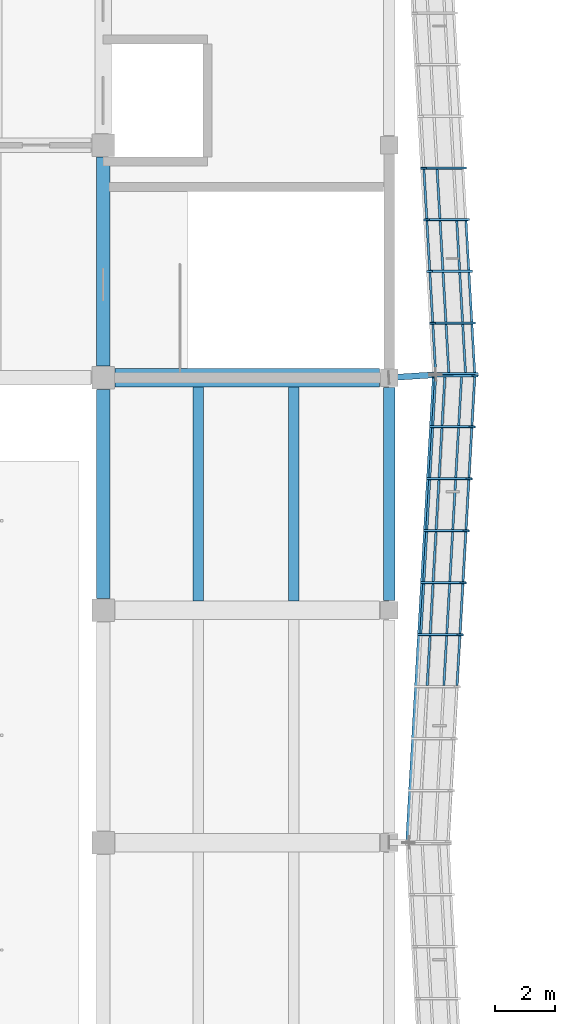
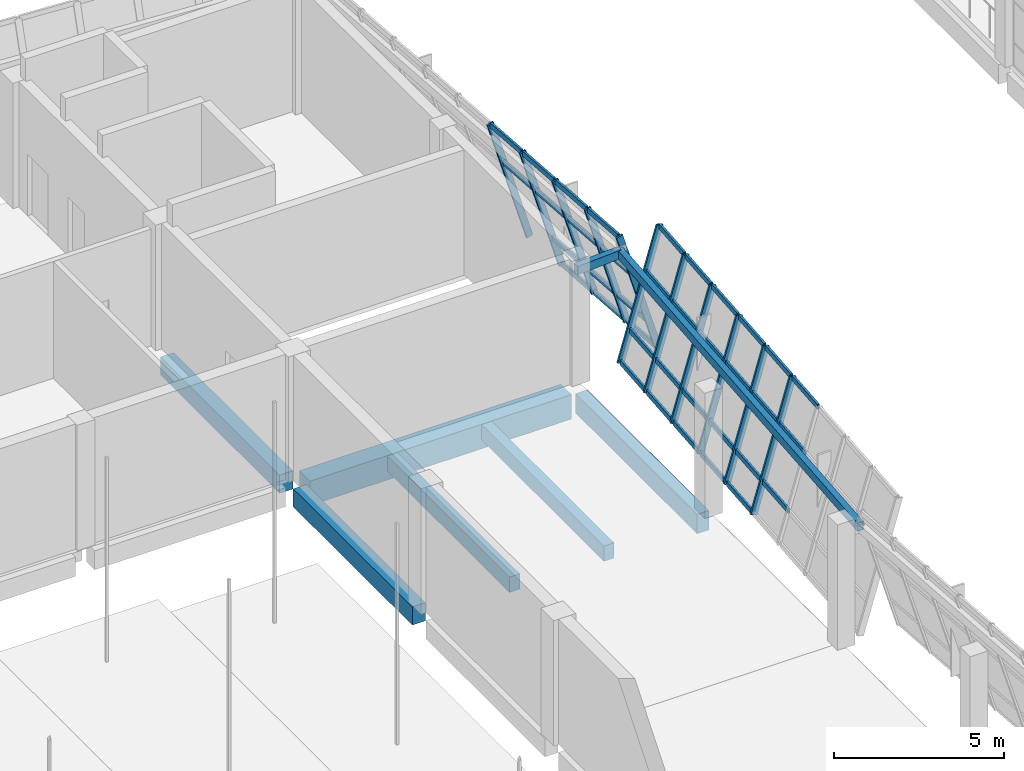
# One storey, part 21 of 71: 48 members, 8 beams, 2 elements without a shape of their own.
"""IFC4 building model written with IfcOpenShell, lengths in metres."""

import ifcopenshell
import ifcopenshell.guid

model = None  # the IFC model being written
_history = None  # IfcOwnerHistory: only IFC2X3 demands one
_inside = {}  # id of a spatial element -> (the spatial element, [elements in it])
_under = {}  # id of a project, library or spatial element -> (it, [spatial elements below it])
_declared = {}  # id of a project -> (the project, [libraries it declares])
_typed = {}  # id of a type object -> (the type object, [elements of that type])
_made_of = {}  # id of a material, layer set ... -> (it, [elements and type objects made of it])


def new_model(schema):
    """Start an empty IFC model of exactly this schema.

    Asked for "IFC4X3", IfcOpenShell would pick the latest addendum, in which some entities
    have other attributes; the version numbers below select the first issue.
    IFC2X3 requires an IfcOwnerHistory on every rooted entity: one is made here for all.
    """
    global model, _history
    if schema == "IFC4X3":
        model = ifcopenshell.file(schema_version=(4, 3, 0, 0))
    else:
        model = ifcopenshell.file(schema=schema)
    _inside.clear()
    _under.clear()
    _declared.clear()
    _typed.clear()
    _made_of.clear()
    _history = None
    if model.schema == "IFC2X3":
        org = make("IfcOrganization", Name="unknown")
        user = make(
            "IfcPersonAndOrganization",
            ThePerson=make("IfcPerson", FamilyName="unknown"),
            TheOrganization=org,
        )
        app = make(
            "IfcApplication",
            ApplicationDeveloper=org,
            Version="unknown",
            ApplicationFullName="unknown",
            ApplicationIdentifier="unknown",
        )
        _history = make(
            "IfcOwnerHistory",
            OwningUser=user,
            OwningApplication=app,
            ChangeAction="ADDED",
            CreationDate=0,
        )
    return model


def make(cls, **values):
    """One entity of the class cls with the attributes given. An attribute that is None is left unset."""
    return model.create_entity(
        cls, **{name: value for name, value in values.items() if value is not None}
    )


def rooted(cls, **values):
    """An entity with a GlobalId (a new one), such as an element, a storey or a relation."""
    return make(cls, GlobalId=ifcopenshell.guid.new(), OwnerHistory=_history, **values)


def si_unit(unit_type, name, prefix=None):
    """IfcSIUnit, for example si_unit("LENGTHUNIT", "METRE", prefix="MILLI")."""
    return make("IfcSIUnit", UnitType=unit_type, Prefix=prefix, Name=name)


def assignment(units):
    """IfcUnitAssignment: the units of a project."""
    return None if units is None else make("IfcUnitAssignment", Units=units)


def point(xyz):
    """IfcCartesianPoint."""
    return None if xyz is None else make("IfcCartesianPoint", Coordinates=xyz)


def direction(xyz):
    """IfcDirection."""
    return None if xyz is None else make("IfcDirection", DirectionRatios=xyz)


def frame(location, z_axis=None, x_axis=None):
    """IfcAxis2Placement3D, a coordinate frame: its origin and axes. An axis left out is left unset."""
    return make(
        "IfcAxis2Placement3D",
        Location=point(location),
        Axis=direction(z_axis),
        RefDirection=direction(x_axis),
    )


def frame_2d(location, x_axis=None):
    """IfcAxis2Placement2D, a coordinate frame in the plane: its origin and x axis."""
    return make(
        "IfcAxis2Placement2D", Location=point(location), RefDirection=direction(x_axis)
    )


def origin():
    """The frame at (0, 0, 0) with its axes left unset."""
    return frame((0.0, 0.0, 0.0))


def origin_2d():
    """The frame at (0, 0) in the plane with its x axis left unset."""
    return frame_2d((0.0, 0.0))


def place(relative_to, where):
    """IfcLocalPlacement: puts the frame where relative to a parent placement (None: the world)."""
    return make(
        "IfcLocalPlacement", PlacementRelTo=relative_to, RelativePlacement=where
    )


def context(
    kind, dimensions, precision=None, world=None, true_north=None, identifier=None
):
    """IfcGeometricRepresentationContext, for example the 3D "Model" context."""
    return make(
        "IfcGeometricRepresentationContext",
        ContextIdentifier=identifier,
        ContextType=kind,
        CoordinateSpaceDimension=dimensions,
        Precision=precision,
        WorldCoordinateSystem=world,
        TrueNorth=true_north,
    )


def subcontext(parent, identifier, kind, view, scale=None):
    """IfcGeometricRepresentationSubContext, for example "Body" below "Model"."""
    return make(
        "IfcGeometricRepresentationSubContext",
        ContextIdentifier=identifier,
        ContextType=kind,
        ParentContext=parent,
        TargetScale=scale,
        TargetView=view,
    )


def project(units=None, contexts=None):
    """IfcProject with its units and contexts."""
    return rooted(
        "IfcProject",
        Name="project",
        RepresentationContexts=contexts,
        UnitsInContext=assignment(units),
    )


def spatial(cls, under=None, at=None, **own):
    """A site, building, storey or space (cls), placed at a placement, below another one or the project."""
    s = rooted(cls, ObjectPlacement=at, **own)
    if under is not None:
        _under.setdefault(under.id(), (under, []))[1].append(s)
    return s


def profile(cls, at=None, kind="AREA", **sizes):
    """A parametric profile (cls). Its sizes go by their IFC names, for example OverallWidth=200.0."""
    return make(cls, ProfileType=kind, Position=at, **sizes)


def rectangle(**sizes):
    """IfcRectangleProfileDef."""
    return profile("IfcRectangleProfileDef", **sizes)


def hollow_rectangle(**sizes):
    """IfcRectangleHollowProfileDef."""
    return profile("IfcRectangleHollowProfileDef", **sizes)


def extrude(swept, where, along, depth):
    """IfcExtrudedAreaSolid: the profile swept, set in the frame where, extruded along a direction by depth."""
    return make(
        "IfcExtrudedAreaSolid",
        SweptArea=swept,
        Position=where,
        ExtrudedDirection=direction(along),
        Depth=depth,
    )


def shape(context_of_items, identifier, shape_type, items):
    """IfcShapeRepresentation: the items that make up one representation, for example the "Body"."""
    return make(
        "IfcShapeRepresentation",
        ContextOfItems=context_of_items,
        RepresentationIdentifier=identifier,
        RepresentationType=shape_type,
        Items=items,
    )


def material(Name=None, Category=None):
    """IfcMaterial."""
    return make("IfcMaterial", Name=Name, Category=Category)


def material_profile(
    of_material, cross_section, Name=None, Category=None, Priority=None
):
    """IfcMaterialProfile: a cross section and its material."""
    return make(
        "IfcMaterialProfile",
        Name=Name,
        Material=of_material,
        Profile=cross_section,
        Priority=Priority,
        Category=Category,
    )


def profile_set(profiles, Name=None, composite=None):
    """IfcMaterialProfileSet."""
    return make(
        "IfcMaterialProfileSet",
        Name=Name,
        MaterialProfiles=profiles,
        CompositeProfile=composite,
    )


def made_of(thing, what):
    """Note that an element or type object is made of a material, layer set ...; save() writes the relation."""
    if what is not None:
        _made_of.setdefault(what.id(), (what, []))[1].append(thing)
    return thing


def type_object(cls, material=None, **own):
    """A type object (cls), such as IfcWallType, which elements share."""
    return made_of(rooted(cls, **own), material)


def element(
    cls,
    number,
    at=None,
    inside=None,
    cuts=None,
    type_object=None,
    material=None,
    context=None,
    identifier="Body",
    shape_type=None,
    held_by="IfcProductDefinitionShape",
    body=None,
    shapes=None,
    **own,
):
    """One element of the class cls, such as IfcWall. Its Tag is "e" and its number.

    at: its placement. inside: the storey or other place that contains it. cuts: it is an
    opening in that element (IfcRelVoidsElement). A single representation is given by context,
    identifier, shape_type and body (its items); several are given by shapes. held_by: the class
    of the entity that holds the representations. save() writes the other relations.
    """
    e = rooted(cls, Tag="e%d" % number, ObjectPlacement=at, **own)
    if body is not None:
        shapes = [shape(context, identifier, shape_type, body)]
    if shapes is not None:
        e.Representation = make(held_by, Representations=shapes)
    if inside is not None:
        _inside.setdefault(inside.id(), (inside, []))[1].append(e)
    if cuts is not None:
        rooted(
            "IfcRelVoidsElement", RelatingBuildingElement=cuts, RelatedOpeningElement=e
        )
    if type_object is not None:
        _typed.setdefault(type_object.id(), (type_object, []))[1].append(e)
    return made_of(e, material)


def aggregate(whole, parts):
    """IfcRelAggregates: a whole, such as a stair, and the parts it consists of."""
    return rooted("IfcRelAggregates", RelatingObject=whole, RelatedObjects=parts)


def save(model, path):
    """Write the relations noted so far, then the file.

    IfcRelAggregates (storeys below a building ...), IfcRelContainedInSpatialStructure (elements
    in a storey), IfcRelDefinesByType, IfcRelAssociatesMaterial and IfcRelDeclares: one each for
    every whole, place, type object, material and project.
    """
    for whole, parts in _under.values():
        aggregate(whole, parts)
    for where, things in _inside.values():
        rooted(
            "IfcRelContainedInSpatialStructure",
            RelatedElements=things,
            RelatingStructure=where,
        )
    for kind, things in _typed.values():
        rooted("IfcRelDefinesByType", RelatedObjects=things, RelatingType=kind)
    for what, things in _made_of.values():
        rooted("IfcRelAssociatesMaterial", RelatedObjects=things, RelatingMaterial=what)
    for by, libraries in _declared.values():
        rooted("IfcRelDeclares", RelatingContext=by, RelatedDefinitions=libraries)
    model.write(path)


model = new_model("IFC4")

# Units and contexts
model_context = context("Model", 3, precision=1e-05, world=origin(), true_north=direction((0.0, 1.0)))
body_context = subcontext(model_context, "Body", "Model", "MODEL_VIEW")
ifc_project = project(units=[si_unit("LENGTHUNIT", "METRE"), si_unit("AREAUNIT", "SQUARE_METRE"), si_unit("VOLUMEUNIT", "CUBIC_METRE"), si_unit("PLANEANGLEUNIT", "RADIAN"), si_unit("MASSUNIT", "GRAM", prefix="KILO")], contexts=[model_context])

# Site, building, storey
site_placement = place(None, origin())
site = spatial("IfcSite", under=ifc_project, at=site_placement, CompositionType="ELEMENT")
building_placement = place(site_placement, origin())
building = spatial("IfcBuilding", under=site, at=building_placement, Name="Pellamere Symphony Hall", CompositionType="ELEMENT")
storey_placement = place(building_placement, frame((0.0, 0.0, 15.0)))
storey = spatial("IfcBuildingStorey", under=building, at=storey_placement, Name="L03", CompositionType="ELEMENT", Elevation=15.0)

# Curtain wall, members
ifc_material_1 = material(Name="Thermally Broken Anodised Aluminium 6063-T6 Curtain Wall", Category="aluminium")
curtain_wall_type = type_object("IfcCurtainWallType", Name="Curtain Wall CW-01 (Tilted Faceted Crystal Low-Iron Curtain Wall)", PredefinedType="NOTDEFINED", material=ifc_material_1)
curtain_wall_1_placement = place(storey_placement, origin())
curtain_wall_1 = element("IfcCurtainWall", 1, at=curtain_wall_1_placement, inside=storey, type_object=curtain_wall_type, Name="Crystal Faceted Curtain Wall CW-CR08 (L03)", PredefinedType="NOTDEFINED")
ifc_material_2 = material(Name="Anodised Architectural Aluminium 6063-T6", Category="aluminium")
ifc_material_profile_1 = material_profile(ifc_material_2, hollow_rectangle(XDim=0.074951171875, YDim=0.219970703125, WallThickness=0.0048828125, at=origin_2d()), Name="ALU-M75X220X5")
ifc_profile_set_1 = profile_set([ifc_material_profile_1], Name="Anodised Architectural Aluminium 6063-T6")
member_type_1 = type_object("IfcMemberType", Name="Curtain Wall Mullion ML-01 ALU-M75X220X5", PredefinedType="MULLION", material=ifc_profile_set_1)
member_1_placement = place(storey_placement, frame((119.85009765625, 68.77783203125, 0.0), z_axis=(0.284024567884, 0.0, 0.95881700279), x_axis=(-0.054873944304, -0.99836096977, 0.016254976991)))
member_1 = element("IfcMember", 2, at=member_1_placement, type_object=member_type_1, Name="CW1-015 crystal mullion 5", PredefinedType="MULLION", context=body_context, shape_type="SweptSolid", body=[
    extrude(hollow_rectangle(XDim=0.074951171875, YDim=0.219970703125, WallThickness=0.0048828125, at=origin_2d()), origin(), (0.0, 0.0, 1.0), 4.693359375),
])
member_2_placement = place(storey_placement, frame((119.949951171875, 70.522216796875, 0.0), z_axis=(0.284024567884, 0.0, 0.95881700279), x_axis=(-0.054873944304, -0.99836096977, 0.016254976991)))
member_2 = element("IfcMember", 3, at=member_2_placement, type_object=member_type_1, Name="CW1-015 crystal mullion 6", PredefinedType="MULLION", context=body_context, shape_type="SweptSolid", body=[
    extrude(hollow_rectangle(XDim=0.074951171875, YDim=0.219970703125, WallThickness=0.0048828125, at=origin_2d()), origin(), (0.0, 0.0, 1.0), 4.693359375),
])
member_3_placement = place(storey_placement, frame((120.050048828125, 72.2666015625, 0.0), z_axis=(0.284024567884, 0.0, 0.95881700279), x_axis=(-0.054873944304, -0.99836096977, 0.016254976991)))
member_3 = element("IfcMember", 4, at=member_3_placement, type_object=member_type_1, Name="CW1-015 crystal mullion 7", PredefinedType="MULLION", context=body_context, shape_type="SweptSolid", body=[
    extrude(hollow_rectangle(XDim=0.074951171875, YDim=0.219970703125, WallThickness=0.0048828125, at=origin_2d()), origin(), (0.0, 0.0, 1.0), 4.693359375),
])
member_4_placement = place(storey_placement, frame((120.14990234375, 74.01123046875, 0.0), z_axis=(0.284024567884, 0.0, 0.95881700279), x_axis=(-0.054873944304, -0.99836096977, 0.016254976991)))
member_4 = element("IfcMember", 5, at=member_4_placement, type_object=member_type_1, Name="CW1-015 crystal mullion 8", PredefinedType="MULLION", context=body_context, shape_type="SweptSolid", body=[
    extrude(hollow_rectangle(XDim=0.074951171875, YDim=0.219970703125, WallThickness=0.0048828125, at=origin_2d()), origin(), (0.0, 0.0, 1.0), 4.693359375),
])
member_5_placement = place(storey_placement, frame((120.25, 75.755615234375, 0.0), z_axis=(0.284024567884, 0.0, 0.95881700279), x_axis=(-0.054873944304, -0.99836096977, 0.016254976991)))
member_5 = element("IfcMember", 6, at=member_5_placement, type_object=member_type_1, Name="CW1-015 crystal mullion 9", PredefinedType="MULLION", context=body_context, shape_type="SweptSolid", body=[
    extrude(hollow_rectangle(XDim=0.074951171875, YDim=0.219970703125, WallThickness=0.0048828125, at=origin_2d()), origin(), (0.0, 0.0, 1.0), 4.693359375),
])
member_6_placement = place(storey_placement, frame((120.347900390625, 77.462646484375, 0.0), z_axis=(0.284024567884, 0.0, 0.95881700279), x_axis=(-0.054873944304, -0.99836096977, 0.016254976991)))
member_6 = element("IfcMember", 7, at=member_6_placement, type_object=member_type_1, Name="CW1-015 crystal mullion 10", PredefinedType="MULLION", context=body_context, shape_type="SweptSolid", body=[
    extrude(hollow_rectangle(XDim=0.074951171875, YDim=0.219970703125, WallThickness=0.0048828125, at=origin_2d()), origin(), (0.0, 0.0, 1.0), 4.693359375),
])

curtain_wall_2_placement = place(storey_placement, origin())
curtain_wall_2 = element("IfcCurtainWall", 8, at=curtain_wall_2_placement, inside=storey, type_object=curtain_wall_type, Name="Crystal Faceted Curtain Wall CW-CR09 (L03)", PredefinedType="NOTDEFINED")
member_7_placement = place(storey_placement, frame((121.680908203125, 77.537353515625, 0.0), z_axis=(-0.284024567884, 0.0, 0.95881700279), x_axis=(-0.055224537145, 0.998339941676, -0.01635883099)))
member_7 = element("IfcMember", 9, at=member_7_placement, type_object=member_type_1, Name="CW1-020 crystal mullion 1", PredefinedType="MULLION", context=body_context, shape_type="SweptSolid", body=[
    extrude(hollow_rectangle(XDim=0.074951171875, YDim=0.219970703125, WallThickness=0.0048828125, at=origin_2d()), origin(), (0.0, 0.0, 1.0), 4.693359375),
])
member_8_placement = place(storey_placement, frame((121.5830078125, 79.2333984375, 0.0), z_axis=(-0.284024567884, 0.0, 0.95881700279), x_axis=(-0.055224537145, 0.998339941676, -0.01635883099)))
member_8 = element("IfcMember", 10, at=member_8_placement, type_object=member_type_1, Name="CW1-020 crystal mullion 2", PredefinedType="MULLION", context=body_context, shape_type="SweptSolid", body=[
    extrude(hollow_rectangle(XDim=0.074951171875, YDim=0.219970703125, WallThickness=0.0048828125, at=origin_2d()), origin(), (0.0, 0.0, 1.0), 4.693359375),
])
member_9_placement = place(storey_placement, frame((121.48291015625, 80.966552734375, 0.0), z_axis=(-0.284024567884, 0.0, 0.95881700279), x_axis=(-0.055224537145, 0.998339941676, -0.01635883099)))
member_9 = element("IfcMember", 11, at=member_9_placement, type_object=member_type_1, Name="CW1-020 crystal mullion 3", PredefinedType="MULLION", context=body_context, shape_type="SweptSolid", body=[
    extrude(hollow_rectangle(XDim=0.074951171875, YDim=0.219970703125, WallThickness=0.0048828125, at=origin_2d()), origin(), (0.0, 0.0, 1.0), 4.693359375),
])
member_10_placement = place(storey_placement, frame((121.383056640625, 82.699951171875, 0.0), z_axis=(-0.284024567884, 0.0, 0.95881700279), x_axis=(-0.055224537145, 0.998339941676, -0.01635883099)))
member_10 = element("IfcMember", 12, at=member_10_placement, type_object=member_type_1, Name="CW1-020 crystal mullion 4", PredefinedType="MULLION", context=body_context, shape_type="SweptSolid", body=[
    extrude(hollow_rectangle(XDim=0.074951171875, YDim=0.219970703125, WallThickness=0.0048828125, at=origin_2d()), origin(), (0.0, 0.0, 1.0), 4.693359375),
])
member_11_placement = place(storey_placement, frame((121.282958984375, 84.433349609375, 0.0), z_axis=(-0.284024567884, 0.0, 0.95881700279), x_axis=(-0.055224537145, 0.998339941676, -0.01635883099)))
member_11 = element("IfcMember", 13, at=member_11_placement, type_object=member_type_1, Name="CW1-020 crystal mullion 5", PredefinedType="MULLION", context=body_context, shape_type="SweptSolid", body=[
    extrude(hollow_rectangle(XDim=0.074951171875, YDim=0.219970703125, WallThickness=0.0048828125, at=origin_2d()), origin(), (0.0, 0.0, 1.0), 4.693359375),
])

# Member
ifc_material_profile_2 = material_profile(ifc_material_2, hollow_rectangle(XDim=0.074951171875, YDim=0.179931640625, WallThickness=0.0048828125, at=origin_2d()), Name="ALU-T75X180X5")
ifc_profile_set_2 = profile_set([ifc_material_profile_2], Name="Anodised Architectural Aluminium 6063-T6")
member_type_2 = type_object("IfcMemberType", Name="Curtain Wall Transom TR-01 ALU-T75X180X5", PredefinedType="USERDEFINED", material=ifc_profile_set_2)
member_12_placement = place(storey_placement, frame((120.072021484375, 67.07080078125, 1.080078125), z_axis=(0.057232737422, 0.998360863499, 0.0), x_axis=(-0.998360863499, 0.057232737422, 0.0)))
member_12 = element("IfcMember", 14, at=member_12_placement, type_object=member_type_2, Name="CW1-015 crystal transom 4.2", ObjectType="TRANSOM", PredefinedType="USERDEFINED", context=body_context, shape_type="SweptSolid", body=[
    extrude(hollow_rectangle(XDim=0.074951171875, YDim=0.179931640625, WallThickness=0.0048828125, at=origin_2d()), origin(), (0.0, 0.0, 1.0), 1.672119140625),
])

member_13_placement = place(storey_placement, frame((120.6318359375, 67.07080078125, 2.969970703125), z_axis=(0.057232737422, 0.998360863499, 0.0), x_axis=(-0.998360863499, 0.057232737422, 0.0)))
member_13 = element("IfcMember", 15, at=member_13_placement, type_object=member_type_2, Name="CW1-015 crystal transom 4.3", ObjectType="TRANSOM", PredefinedType="USERDEFINED", context=body_context, shape_type="SweptSolid", body=[
    extrude(hollow_rectangle(XDim=0.074951171875, YDim=0.179931640625, WallThickness=0.0048828125, at=origin_2d()), origin(), (0.0, 0.0, 1.0), 1.672119140625),
])

member_14_placement = place(storey_placement, frame((121.074462890625, 67.07080078125, 4.464111328125), z_axis=(0.057232737422, 0.998360863499, 0.0), x_axis=(-0.998360863499, 0.057232737422, 0.0)))
member_14 = element("IfcMember", 16, at=member_14_placement, type_object=member_type_2, Name="CW1-015 crystal transom 4.4", ObjectType="TRANSOM", PredefinedType="USERDEFINED", context=body_context, shape_type="SweptSolid", body=[
    extrude(hollow_rectangle(XDim=0.074951171875, YDim=0.179931640625, WallThickness=0.0048828125, at=origin_2d()), origin(), (0.0, 0.0, 1.0), 1.672119140625),
])

member_15_placement = place(storey_placement, frame((119.86279296875, 68.815185546875, 0.035888671875), z_axis=(0.057224396245, 0.998361341637, 0.0), x_axis=(-0.998361341637, 0.057224396245, 0.0)))
member_15 = element("IfcMember", 17, at=member_15_placement, type_object=member_type_2, Name="CW1-015 crystal transom 5.1", ObjectType="TRANSOM", PredefinedType="USERDEFINED", context=body_context, shape_type="SweptSolid", body=[
    extrude(hollow_rectangle(XDim=0.074951171875, YDim=0.179931640625, WallThickness=0.0048828125, at=origin_2d()), origin(), (0.0, 0.0, 1.0), 1.67236328125),
])

member_16_placement = place(storey_placement, frame((120.172119140625, 68.815185546875, 1.080078125), z_axis=(0.057224396245, 0.998361341637, 0.0), x_axis=(-0.998361341637, 0.057224396245, 0.0)))
member_16 = element("IfcMember", 18, at=member_16_placement, type_object=member_type_2, Name="CW1-015 crystal transom 5.2", ObjectType="TRANSOM", PredefinedType="USERDEFINED", context=body_context, shape_type="SweptSolid", body=[
    extrude(hollow_rectangle(XDim=0.074951171875, YDim=0.179931640625, WallThickness=0.0048828125, at=origin_2d()), origin(), (0.0, 0.0, 1.0), 1.67236328125),
])

member_17_placement = place(storey_placement, frame((120.73193359375, 68.815185546875, 2.969970703125), z_axis=(0.057224396245, 0.998361341637, 0.0), x_axis=(-0.998361341637, 0.057224396245, 0.0)))
member_17 = element("IfcMember", 19, at=member_17_placement, type_object=member_type_2, Name="CW1-015 crystal transom 5.3", ObjectType="TRANSOM", PredefinedType="USERDEFINED", context=body_context, shape_type="SweptSolid", body=[
    extrude(hollow_rectangle(XDim=0.074951171875, YDim=0.179931640625, WallThickness=0.0048828125, at=origin_2d()), origin(), (0.0, 0.0, 1.0), 1.67236328125),
])

member_18_placement = place(storey_placement, frame((121.174560546875, 68.815185546875, 4.464111328125), z_axis=(0.057224396245, 0.998361341637, 0.0), x_axis=(-0.998361341637, 0.057224396245, 0.0)))
member_18 = element("IfcMember", 20, at=member_18_placement, type_object=member_type_2, Name="CW1-015 crystal transom 5.4", ObjectType="TRANSOM", PredefinedType="USERDEFINED", context=body_context, shape_type="SweptSolid", body=[
    extrude(hollow_rectangle(XDim=0.074951171875, YDim=0.179931640625, WallThickness=0.0048828125, at=origin_2d()), origin(), (0.0, 0.0, 1.0), 1.67236328125),
])

member_19_placement = place(storey_placement, frame((119.962890625, 70.5595703125, 0.035888671875), z_axis=(0.057224396245, 0.998361341637, 0.0), x_axis=(-0.998361341637, 0.057224396245, 0.0)))
member_19 = element("IfcMember", 21, at=member_19_placement, type_object=member_type_2, Name="CW1-015 crystal transom 6.1", ObjectType="TRANSOM", PredefinedType="USERDEFINED", context=body_context, shape_type="SweptSolid", body=[
    extrude(hollow_rectangle(XDim=0.074951171875, YDim=0.179931640625, WallThickness=0.0048828125, at=origin_2d()), origin(), (0.0, 0.0, 1.0), 1.67236328125),
])

member_20_placement = place(storey_placement, frame((120.27197265625, 70.5595703125, 1.080078125), z_axis=(0.057224396245, 0.998361341637, 0.0), x_axis=(-0.998361341637, 0.057224396245, 0.0)))
member_20 = element("IfcMember", 22, at=member_20_placement, type_object=member_type_2, Name="CW1-015 crystal transom 6.2", ObjectType="TRANSOM", PredefinedType="USERDEFINED", context=body_context, shape_type="SweptSolid", body=[
    extrude(hollow_rectangle(XDim=0.074951171875, YDim=0.179931640625, WallThickness=0.0048828125, at=origin_2d()), origin(), (0.0, 0.0, 1.0), 1.67236328125),
])

member_21_placement = place(storey_placement, frame((120.83203125, 70.5595703125, 2.969970703125), z_axis=(0.057224396245, 0.998361341637, 0.0), x_axis=(-0.998361341637, 0.057224396245, 0.0)))
member_21 = element("IfcMember", 23, at=member_21_placement, type_object=member_type_2, Name="CW1-015 crystal transom 6.3", ObjectType="TRANSOM", PredefinedType="USERDEFINED", context=body_context, shape_type="SweptSolid", body=[
    extrude(hollow_rectangle(XDim=0.074951171875, YDim=0.179931640625, WallThickness=0.0048828125, at=origin_2d()), origin(), (0.0, 0.0, 1.0), 1.67236328125),
])

member_22_placement = place(storey_placement, frame((121.2744140625, 70.5595703125, 4.464111328125), z_axis=(0.057224396245, 0.998361341637, 0.0), x_axis=(-0.998361341637, 0.057224396245, 0.0)))
member_22 = element("IfcMember", 24, at=member_22_placement, type_object=member_type_2, Name="CW1-015 crystal transom 6.4", ObjectType="TRANSOM", PredefinedType="USERDEFINED", context=body_context, shape_type="SweptSolid", body=[
    extrude(hollow_rectangle(XDim=0.074951171875, YDim=0.179931640625, WallThickness=0.0048828125, at=origin_2d()), origin(), (0.0, 0.0, 1.0), 1.67236328125),
])

member_23_placement = place(storey_placement, frame((120.062744140625, 72.30419921875, 0.035888671875), z_axis=(0.057232737422, 0.998360863499, 0.0), x_axis=(-0.998360863499, 0.057232737422, 0.0)))
member_23 = element("IfcMember", 25, at=member_23_placement, type_object=member_type_2, Name="CW1-015 crystal transom 7.1", ObjectType="TRANSOM", PredefinedType="USERDEFINED", context=body_context, shape_type="SweptSolid", body=[
    extrude(hollow_rectangle(XDim=0.074951171875, YDim=0.179931640625, WallThickness=0.0048828125, at=origin_2d()), origin(), (0.0, 0.0, 1.0), 1.672119140625),
])

member_24_placement = place(storey_placement, frame((120.3720703125, 72.30419921875, 1.080078125), z_axis=(0.057232737422, 0.998360863499, 0.0), x_axis=(-0.998360863499, 0.057232737422, 0.0)))
member_24 = element("IfcMember", 26, at=member_24_placement, type_object=member_type_2, Name="CW1-015 crystal transom 7.2", ObjectType="TRANSOM", PredefinedType="USERDEFINED", context=body_context, shape_type="SweptSolid", body=[
    extrude(hollow_rectangle(XDim=0.074951171875, YDim=0.179931640625, WallThickness=0.0048828125, at=origin_2d()), origin(), (0.0, 0.0, 1.0), 1.672119140625),
])

member_25_placement = place(storey_placement, frame((120.931884765625, 72.30419921875, 2.969970703125), z_axis=(0.057232737422, 0.998360863499, 0.0), x_axis=(-0.998360863499, 0.057232737422, 0.0)))
member_25 = element("IfcMember", 27, at=member_25_placement, type_object=member_type_2, Name="CW1-015 crystal transom 7.3", ObjectType="TRANSOM", PredefinedType="USERDEFINED", context=body_context, shape_type="SweptSolid", body=[
    extrude(hollow_rectangle(XDim=0.074951171875, YDim=0.179931640625, WallThickness=0.0048828125, at=origin_2d()), origin(), (0.0, 0.0, 1.0), 1.672119140625),
])

member_26_placement = place(storey_placement, frame((121.37451171875, 72.30419921875, 4.464111328125), z_axis=(0.057232737422, 0.998360863499, 0.0), x_axis=(-0.998360863499, 0.057232737422, 0.0)))
member_26 = element("IfcMember", 28, at=member_26_placement, type_object=member_type_2, Name="CW1-015 crystal transom 7.4", ObjectType="TRANSOM", PredefinedType="USERDEFINED", context=body_context, shape_type="SweptSolid", body=[
    extrude(hollow_rectangle(XDim=0.074951171875, YDim=0.179931640625, WallThickness=0.0048828125, at=origin_2d()), origin(), (0.0, 0.0, 1.0), 1.672119140625),
])

member_27_placement = place(storey_placement, frame((120.162841796875, 74.048583984375, 0.035888671875), z_axis=(0.057232737422, 0.998360863499, 0.0), x_axis=(-0.998360863499, 0.057232737422, 0.0)))
member_27 = element("IfcMember", 29, at=member_27_placement, type_object=member_type_2, Name="CW1-015 crystal transom 8.1", ObjectType="TRANSOM", PredefinedType="USERDEFINED", context=body_context, shape_type="SweptSolid", body=[
    extrude(hollow_rectangle(XDim=0.074951171875, YDim=0.179931640625, WallThickness=0.0048828125, at=origin_2d()), origin(), (0.0, 0.0, 1.0), 1.672119140625),
])

member_28_placement = place(storey_placement, frame((120.47216796875, 74.048583984375, 1.080078125), z_axis=(0.057232737422, 0.998360863499, 0.0), x_axis=(-0.998360863499, 0.057232737422, 0.0)))
member_28 = element("IfcMember", 30, at=member_28_placement, type_object=member_type_2, Name="CW1-015 crystal transom 8.2", ObjectType="TRANSOM", PredefinedType="USERDEFINED", context=body_context, shape_type="SweptSolid", body=[
    extrude(hollow_rectangle(XDim=0.074951171875, YDim=0.179931640625, WallThickness=0.0048828125, at=origin_2d()), origin(), (0.0, 0.0, 1.0), 1.672119140625),
])

member_29_placement = place(storey_placement, frame((121.031982421875, 74.048583984375, 2.969970703125), z_axis=(0.057232737422, 0.998360863499, 0.0), x_axis=(-0.998360863499, 0.057232737422, 0.0)))
member_29 = element("IfcMember", 31, at=member_29_placement, type_object=member_type_2, Name="CW1-015 crystal transom 8.3", ObjectType="TRANSOM", PredefinedType="USERDEFINED", context=body_context, shape_type="SweptSolid", body=[
    extrude(hollow_rectangle(XDim=0.074951171875, YDim=0.179931640625, WallThickness=0.0048828125, at=origin_2d()), origin(), (0.0, 0.0, 1.0), 1.672119140625),
])

member_30_placement = place(storey_placement, frame((121.474609375, 74.048583984375, 4.464111328125), z_axis=(0.057232737422, 0.998360863499, 0.0), x_axis=(-0.998360863499, 0.057232737422, 0.0)))
member_30 = element("IfcMember", 32, at=member_30_placement, type_object=member_type_2, Name="CW1-015 crystal transom 8.4", ObjectType="TRANSOM", PredefinedType="USERDEFINED", context=body_context, shape_type="SweptSolid", body=[
    extrude(hollow_rectangle(XDim=0.074951171875, YDim=0.179931640625, WallThickness=0.0048828125, at=origin_2d()), origin(), (0.0, 0.0, 1.0), 1.672119140625),
])

member_31_placement = place(storey_placement, frame((120.2626953125, 75.79296875, 0.035888671875), z_axis=(0.057347500779, 0.998354277877, 0.0), x_axis=(-0.998354277877, 0.057347500779, 0.0)))
member_31 = element("IfcMember", 33, at=member_31_placement, type_object=member_type_2, Name="CW1-015 crystal transom 9.1", ObjectType="TRANSOM", PredefinedType="USERDEFINED", context=body_context, shape_type="SweptSolid", body=[
    extrude(hollow_rectangle(XDim=0.074951171875, YDim=0.179931640625, WallThickness=0.0048828125, at=origin_2d()), origin(), (0.0, 0.0, 1.0), 1.634765625),
])

member_32_placement = place(storey_placement, frame((120.572021484375, 75.79296875, 1.080078125), z_axis=(0.057198647566, 0.998362817175, 0.0), x_axis=(-0.998362817175, 0.057198647566, 0.0)))
member_32 = element("IfcMember", 34, at=member_32_placement, type_object=member_type_2, Name="CW1-015 crystal transom 9.2", ObjectType="TRANSOM", PredefinedType="USERDEFINED", context=body_context, shape_type="SweptSolid", body=[
    extrude(hollow_rectangle(XDim=0.074951171875, YDim=0.179931640625, WallThickness=0.0048828125, at=origin_2d()), origin(), (0.0, 0.0, 1.0), 1.634765625),
])

member_33_placement = place(storey_placement, frame((121.1318359375, 75.79296875, 2.969970703125), z_axis=(0.057347500779, 0.998354277877, 0.0), x_axis=(-0.998354277877, 0.057347500779, 0.0)))
member_33 = element("IfcMember", 35, at=member_33_placement, type_object=member_type_2, Name="CW1-015 crystal transom 9.3", ObjectType="TRANSOM", PredefinedType="USERDEFINED", context=body_context, shape_type="SweptSolid", body=[
    extrude(hollow_rectangle(XDim=0.074951171875, YDim=0.179931640625, WallThickness=0.0048828125, at=origin_2d()), origin(), (0.0, 0.0, 1.0), 1.634765625),
])

member_34_placement = place(storey_placement, frame((121.574462890625, 75.79296875, 4.464111328125), z_axis=(0.057198647566, 0.998362817175, 0.0), x_axis=(-0.998362817175, 0.057198647566, 0.0)))
member_34 = element("IfcMember", 36, at=member_34_placement, type_object=member_type_2, Name="CW1-015 crystal transom 9.4", ObjectType="TRANSOM", PredefinedType="USERDEFINED", context=body_context, shape_type="SweptSolid", body=[
    extrude(hollow_rectangle(XDim=0.074951171875, YDim=0.179931640625, WallThickness=0.0048828125, at=origin_2d()), origin(), (0.0, 0.0, 1.0), 1.634765625),
])

aggregate(curtain_wall_1, [member_1, member_2, member_3, member_4, member_5, member_6, member_12, member_13, member_14, member_15, member_16, member_17, member_18, member_19, member_20, member_21, member_22, member_23, member_24, member_25, member_26, member_27, member_28, member_29, member_30, member_31, member_32, member_33, member_34])

member_35_placement = place(storey_placement, frame((121.66796875, 77.574951171875, 0.035888671875), z_axis=(-0.057593652861, 0.998340107954, 0.0), x_axis=(-0.998340107954, -0.057593652861, 0.0)))
member_35 = element("IfcMember", 37, at=member_35_placement, type_object=member_type_2, Name="CW1-020 crystal transom 1.1", ObjectType="TRANSOM", PredefinedType="USERDEFINED", context=body_context, shape_type="SweptSolid", body=[
    extrude(hollow_rectangle(XDim=0.074951171875, YDim=0.179931640625, WallThickness=0.0048828125, at=origin_2d()), origin(), (0.0, 0.0, 1.0), 1.62353515625),
])

member_36_placement = place(storey_placement, frame((121.358642578125, 77.574951171875, 1.080078125), z_axis=(-0.057593652861, 0.998340107954, 0.0), x_axis=(-0.998340107954, -0.057593652861, 0.0)))
member_36 = element("IfcMember", 38, at=member_36_placement, type_object=member_type_2, Name="CW1-020 crystal transom 1.2", ObjectType="TRANSOM", PredefinedType="USERDEFINED", context=body_context, shape_type="SweptSolid", body=[
    extrude(hollow_rectangle(XDim=0.074951171875, YDim=0.179931640625, WallThickness=0.0048828125, at=origin_2d()), origin(), (0.0, 0.0, 1.0), 1.62353515625),
])

member_37_placement = place(storey_placement, frame((120.798828125, 77.574951171875, 2.969970703125), z_axis=(-0.057593652861, 0.998340107954, 0.0), x_axis=(-0.998340107954, -0.057593652861, 0.0)))
member_37 = element("IfcMember", 39, at=member_37_placement, type_object=member_type_2, Name="CW1-020 crystal transom 1.3", ObjectType="TRANSOM", PredefinedType="USERDEFINED", context=body_context, shape_type="SweptSolid", body=[
    extrude(hollow_rectangle(XDim=0.074951171875, YDim=0.179931640625, WallThickness=0.0048828125, at=origin_2d()), origin(), (0.0, 0.0, 1.0), 1.62353515625),
])

member_38_placement = place(storey_placement, frame((120.3564453125, 77.574951171875, 4.464111328125), z_axis=(-0.057743527187, 0.998331450505, 0.0), x_axis=(-0.998331450505, -0.057743527187, 0.0)))
member_38 = element("IfcMember", 40, at=member_38_placement, type_object=member_type_2, Name="CW1-020 crystal transom 1.4", ObjectType="TRANSOM", PredefinedType="USERDEFINED", context=body_context, shape_type="SweptSolid", body=[
    extrude(hollow_rectangle(XDim=0.074951171875, YDim=0.179931640625, WallThickness=0.0048828125, at=origin_2d()), origin(), (0.0, 0.0, 1.0), 1.62353515625),
])

member_39_placement = place(storey_placement, frame((121.570068359375, 79.270751953125, 0.035888671875), z_axis=(-0.057464139598, 0.998347571069, 0.0), x_axis=(-0.998347571069, -0.057464139598, 0.0)))
member_39 = element("IfcMember", 41, at=member_39_placement, type_object=member_type_2, Name="CW1-020 crystal transom 2.1", ObjectType="TRANSOM", PredefinedType="USERDEFINED", context=body_context, shape_type="SweptSolid", body=[
    extrude(hollow_rectangle(XDim=0.074951171875, YDim=0.179931640625, WallThickness=0.0048828125, at=origin_2d()), origin(), (0.0, 0.0, 1.0), 1.6611328125),
])

member_40_placement = place(storey_placement, frame((121.260986328125, 79.270751953125, 1.080078125), z_axis=(-0.057610619545, 0.998339129012, 0.0), x_axis=(-0.998339129012, -0.057610619545, 0.0)))
member_40 = element("IfcMember", 42, at=member_40_placement, type_object=member_type_2, Name="CW1-020 crystal transom 2.2", ObjectType="TRANSOM", PredefinedType="USERDEFINED", context=body_context, shape_type="SweptSolid", body=[
    extrude(hollow_rectangle(XDim=0.074951171875, YDim=0.179931640625, WallThickness=0.0048828125, at=origin_2d()), origin(), (0.0, 0.0, 1.0), 1.6611328125),
])

member_41_placement = place(storey_placement, frame((120.701171875, 79.270751953125, 2.969970703125), z_axis=(-0.057610619545, 0.998339129012, 0.0), x_axis=(-0.998339129012, -0.057610619545, 0.0)))
member_41 = element("IfcMember", 43, at=member_41_placement, type_object=member_type_2, Name="CW1-020 crystal transom 2.3", ObjectType="TRANSOM", PredefinedType="USERDEFINED", context=body_context, shape_type="SweptSolid", body=[
    extrude(hollow_rectangle(XDim=0.074951171875, YDim=0.179931640625, WallThickness=0.0048828125, at=origin_2d()), origin(), (0.0, 0.0, 1.0), 1.6611328125),
])

member_42_placement = place(storey_placement, frame((120.258544921875, 79.270751953125, 4.464111328125), z_axis=(-0.057610619545, 0.998339129012, 0.0), x_axis=(-0.998339129012, -0.057610619545, 0.0)))
member_42 = element("IfcMember", 44, at=member_42_placement, type_object=member_type_2, Name="CW1-020 crystal transom 2.4", ObjectType="TRANSOM", PredefinedType="USERDEFINED", context=body_context, shape_type="SweptSolid", body=[
    extrude(hollow_rectangle(XDim=0.074951171875, YDim=0.179931640625, WallThickness=0.0048828125, at=origin_2d()), origin(), (0.0, 0.0, 1.0), 1.6611328125),
])

member_43_placement = place(storey_placement, frame((121.47021484375, 81.004150390625, 0.035888671875), z_axis=(-0.057610619545, 0.998339129012, 0.0), x_axis=(-0.998339129012, -0.057610619545, 0.0)))
member_43 = element("IfcMember", 45, at=member_43_placement, type_object=member_type_2, Name="CW1-020 crystal transom 3.1", ObjectType="TRANSOM", PredefinedType="USERDEFINED", context=body_context, shape_type="SweptSolid", body=[
    extrude(hollow_rectangle(XDim=0.074951171875, YDim=0.179931640625, WallThickness=0.0048828125, at=origin_2d()), origin(), (0.0, 0.0, 1.0), 1.6611328125),
])

member_44_placement = place(storey_placement, frame((121.160888671875, 81.004150390625, 1.080078125), z_axis=(-0.057610619545, 0.998339129012, 0.0), x_axis=(-0.998339129012, -0.057610619545, 0.0)))
member_44 = element("IfcMember", 46, at=member_44_placement, type_object=member_type_2, Name="CW1-020 crystal transom 3.2", ObjectType="TRANSOM", PredefinedType="USERDEFINED", context=body_context, shape_type="SweptSolid", body=[
    extrude(hollow_rectangle(XDim=0.074951171875, YDim=0.179931640625, WallThickness=0.0048828125, at=origin_2d()), origin(), (0.0, 0.0, 1.0), 1.6611328125),
])

member_45_placement = place(storey_placement, frame((120.60107421875, 81.004150390625, 2.969970703125), z_axis=(-0.057610619545, 0.998339129012, 0.0), x_axis=(-0.998339129012, -0.057610619545, 0.0)))
member_45 = element("IfcMember", 47, at=member_45_placement, type_object=member_type_2, Name="CW1-020 crystal transom 3.3", ObjectType="TRANSOM", PredefinedType="USERDEFINED", context=body_context, shape_type="SweptSolid", body=[
    extrude(hollow_rectangle(XDim=0.074951171875, YDim=0.179931640625, WallThickness=0.0048828125, at=origin_2d()), origin(), (0.0, 0.0, 1.0), 1.6611328125),
])

member_46_placement = place(storey_placement, frame((120.158447265625, 81.004150390625, 4.464111328125), z_axis=(-0.057610619545, 0.998339129012, 0.0), x_axis=(-0.998339129012, -0.057610619545, 0.0)))
member_46 = element("IfcMember", 48, at=member_46_placement, type_object=member_type_2, Name="CW1-020 crystal transom 3.4", ObjectType="TRANSOM", PredefinedType="USERDEFINED", context=body_context, shape_type="SweptSolid", body=[
    extrude(hollow_rectangle(XDim=0.074951171875, YDim=0.179931640625, WallThickness=0.0048828125, at=origin_2d()), origin(), (0.0, 0.0, 1.0), 1.6611328125),
])

member_47_placement = place(storey_placement, frame((120.5009765625, 82.737548828125, 2.969970703125), z_axis=(-0.057610619545, 0.998339129012, 0.0), x_axis=(-0.998339129012, -0.057610619545, 0.0)))
member_47 = element("IfcMember", 49, at=member_47_placement, type_object=member_type_2, Name="CW1-020 crystal transom 4.3", ObjectType="TRANSOM", PredefinedType="USERDEFINED", context=body_context, shape_type="SweptSolid", body=[
    extrude(hollow_rectangle(XDim=0.074951171875, YDim=0.179931640625, WallThickness=0.0048828125, at=origin_2d()), origin(), (0.0, 0.0, 1.0), 1.6611328125),
])

member_48_placement = place(storey_placement, frame((120.05859375, 82.737548828125, 4.464111328125), z_axis=(-0.057610619545, 0.998339129012, 0.0), x_axis=(-0.998339129012, -0.057610619545, 0.0)))
member_48 = element("IfcMember", 50, at=member_48_placement, type_object=member_type_2, Name="CW1-020 crystal transom 4.4", ObjectType="TRANSOM", PredefinedType="USERDEFINED", context=body_context, shape_type="SweptSolid", body=[
    extrude(hollow_rectangle(XDim=0.074951171875, YDim=0.179931640625, WallThickness=0.0048828125, at=origin_2d()), origin(), (0.0, 0.0, 1.0), 1.6611328125),
])

aggregate(curtain_wall_2, [member_7, member_8, member_9, member_10, member_11, member_35, member_36, member_37, member_38, member_39, member_40, member_41, member_42, member_43, member_44, member_45, member_46, member_47, member_48])

# Beams
ifc_material_3 = material(Name="Concrete 40 MPa", Category="concrete")
ifc_material_profile_3 = material_profile(ifc_material_3, rectangle(XDim=0.449951171875, YDim=0.64990234375, at=origin_2d()), Name="RC 450x650")
ifc_profile_set_3 = profile_set([ifc_material_profile_3], Name="Concrete 40 MPa")
beam_type_1 = type_object("IfcBeamType", Name="RC CB-08 450x650", PredefinedType="BEAM", material=ifc_profile_set_3)
for number, where, z_axis, x_axis, name in (
    (51, (109.199951171875, 70.0, -0.5849609375), (0.0, 1.0, 0.0), (-1.0, 0.0, 0.0), "Girder CB-08-Y1655 (L03)"),
    (52, (109.199951171875, 77.800048828125, -0.5849609375), (0.0, 1.0, 0.0), (-1.0, 0.0, 0.0), "Girder CB-08-Y1656 (L03)"),
):
    element("IfcBeam", number, at=place(storey_placement, frame(where, z_axis=z_axis, x_axis=x_axis)), inside=storey, type_object=beam_type_1, Name=name, PredefinedType="BEAM", context=body_context, shape_type="SweptSolid", body=[
        extrude(rectangle(XDim=0.449951171875, YDim=0.64990234375, at=origin_2d()), origin(), (0.0, 0.0, 1.0), 7.0),
    ])
ifc_material_4 = material(Name="Concrete 35 MPa", Category="concrete")
ifc_material_profile_4 = material_profile(ifc_material_4, rectangle(XDim=0.35009765625, YDim=0.550048828125, at=origin_2d()), Name="RC 350x550")
ifc_profile_set_4 = profile_set([ifc_material_profile_4], Name="Concrete 35 MPa")
beam_type_2 = type_object("IfcBeamType", Name="RC CB-10 350x550", PredefinedType="BEAM", material=ifc_profile_set_4)
for number, where, z_axis, x_axis, name in (
    (53, (112.39990234375, 69.909912109375, -0.550048828125), (0.0, 1.0, 0.0), (-1.0, 0.0, 0.0), "Secondary Floor Beam CB-10-A1409 (L03)"),
    (54, (115.60009765625, 69.909912109375, -0.550048828125), (0.0, 1.0, 0.0), (-1.0, 0.0, 0.0), "Secondary Floor Beam CB-10-B1409 (L03)"),
):
    element("IfcBeam", number, at=place(storey_placement, frame(where, z_axis=z_axis, x_axis=x_axis)), inside=storey, type_object=beam_type_2, Name=name, PredefinedType="BEAM", context=body_context, shape_type="SweptSolid", body=[
        extrude(rectangle(XDim=0.35009765625, YDim=0.550048828125, at=origin_2d()), origin(), (0.0, 0.0, 1.0), 7.18017578125),
    ])
ifc_material_profile_5 = material_profile(ifc_material_3, rectangle(XDim=0.39990234375, YDim=0.699951171875, at=origin_2d()), Name="RC 400x700")
ifc_profile_set_5 = profile_set([ifc_material_profile_5], Name="Concrete 40 MPa")
beam_type_3 = type_object("IfcBeamType", Name="RC CB-13 400x700", PredefinedType="SPANDREL", material=ifc_profile_set_5)
beam_1_placement = place(storey_placement, frame((118.800048828125, 69.925048828125, -0.610107421875), z_axis=(0.0, 1.0, 0.0), x_axis=(-1.0, 0.0, 0.0)))
element("IfcBeam", 55, at=beam_1_placement, inside=storey, type_object=beam_type_3, Name="Girder CB-13-Y1664 (L03)", PredefinedType="SPANDREL", context=body_context, shape_type="SweptSolid", body=[
    extrude(rectangle(XDim=0.39990234375, YDim=0.699951171875, at=origin_2d()), origin(), (0.0, 0.0, 1.0), 7.14990234375),
])
ifc_material_profile_6 = material_profile(ifc_material_3, rectangle(XDim=0.6201171875, YDim=0.8798828125, at=origin_2d()), Name="RC 620x880")
ifc_profile_set_6 = profile_set([ifc_material_profile_6], Name="Concrete 40 MPa")
beam_type_4 = type_object("IfcBeamType", Name="RC CB-17 620x880", PredefinedType="BEAM", material=ifc_profile_set_6)
beam_2_placement = place(storey_placement, frame((109.60009765625, 77.39990234375, -0.699951171875), z_axis=(1.0, 0.0, 0.0), x_axis=(0.0, 1.0, 0.0)))
element("IfcBeam", 56, at=beam_2_placement, inside=storey, type_object=beam_type_4, Name="Girder CB-17-X1579 (L03)", PredefinedType="BEAM", context=body_context, shape_type="SweptSolid", body=[
    extrude(rectangle(XDim=0.6201171875, YDim=0.8798828125, at=origin_2d()), origin(), (0.0, 0.0, 1.0), 8.875),
])
ifc_material_5 = material(Name="Steel CSA G40.21 350W", Category="steel")
ifc_material_profile_7 = material_profile(ifc_material_5, hollow_rectangle(XDim=0.203125, YDim=0.3046875, WallThickness=0.0126953125, at=origin_2d()), Name="HSS305X203X13")
ifc_profile_set_7 = profile_set([ifc_material_profile_7], Name="Steel CSA G40.21 350W")
beam_type_5 = type_object("IfcBeamType", Name="Steel Spandrel SB-26 HSS305X203X13", PredefinedType="SPANDREL", material=ifc_profile_set_7)
beam_3_placement = place(storey_placement, frame((119.449951171875, 61.800048828125, 3.93994140625), z_axis=(0.057240345461, 0.998360427326, 0.0), x_axis=(-0.998360427326, 0.057240345461, 0.0)))
element("IfcBeam", 57, at=beam_3_placement, inside=storey, type_object=beam_type_5, Name="Crystal Perimeter Ring Beam CW-CR08 (L03)", PredefinedType="SPANDREL", context=body_context, shape_type="SweptSolid", body=[
    extrude(hollow_rectangle(XDim=0.203125, YDim=0.3046875, WallThickness=0.0126953125, at=origin_2d()), origin(), (0.0, 0.0, 1.0), 15.725830078125),
])
beam_4_placement = place(storey_placement, frame((118.800048828125, 77.39990234375, 3.93994140625), z_axis=(0.997921398046, 0.064442868672, 0.0), x_axis=(-0.064442868672, 0.997921398046, 0.0)))
element("IfcBeam", 58, at=beam_4_placement, inside=storey, type_object=beam_type_5, Name="Crystal Ring Outrigger Bracket 035 (L03)", PredefinedType="SPANDREL", context=body_context, shape_type="SweptSolid", body=[
    extrude(hollow_rectangle(XDim=0.203125, YDim=0.3046875, WallThickness=0.0126953125, at=origin_2d()), origin(), (0.0, 0.0, 1.0), 1.55322265625),
])

save(model, "model.ifc")
